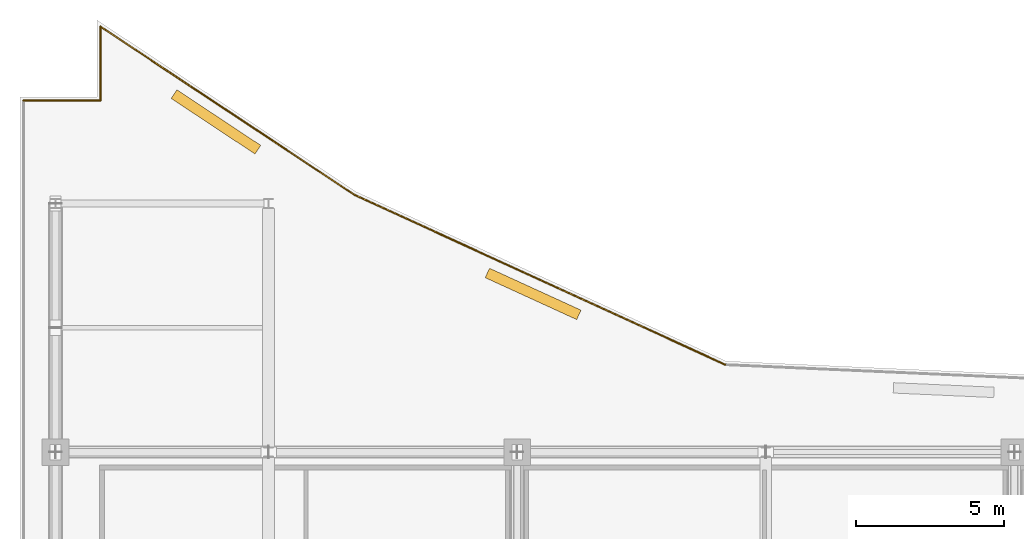
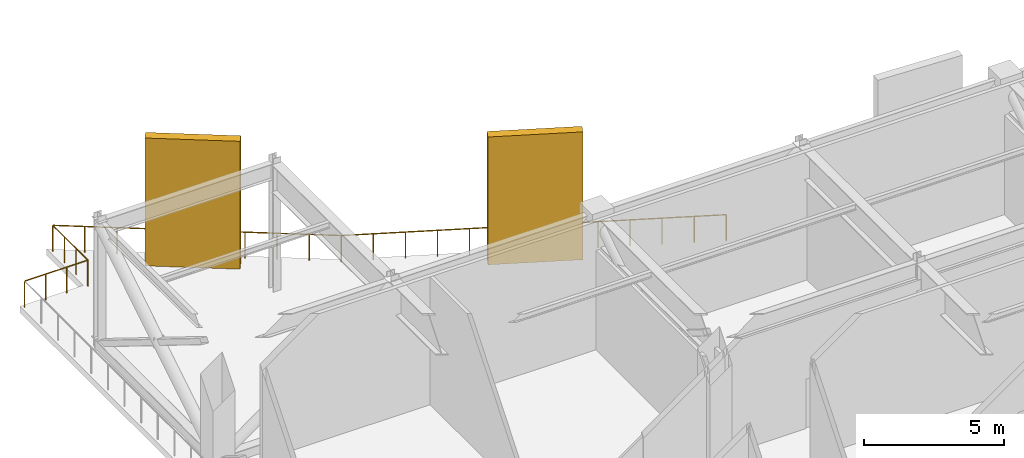
# One storey, part 14 of 14: 4 railings, 2 shading devices.
"""IFC4 building model written with IfcOpenShell, lengths in metres."""

from ifc_helpers import new_model, si_unit, direction, frame, origin, origin_2d, place, context, subcontext, project, spatial, rectangle, circle, extrude, material, layer, layer_set, type_object, element, save


model = new_model("IFC4")

# Units and contexts
model_context = context("Model", 3, precision=1e-05, world=origin(), true_north=direction((0.0, 1.0)))
body_context = subcontext(model_context, "Body", "Model", "MODEL_VIEW")
ifc_project = project(units=[si_unit("LENGTHUNIT", "METRE"), si_unit("AREAUNIT", "SQUARE_METRE"), si_unit("VOLUMEUNIT", "CUBIC_METRE"), si_unit("PLANEANGLEUNIT", "RADIAN"), si_unit("MASSUNIT", "GRAM", prefix="KILO")], contexts=[model_context])

# Site, building, storey
site_placement = place(None, origin())
site = spatial("IfcSite", under=ifc_project, at=site_placement, CompositionType="ELEMENT")
building_placement = place(site_placement, origin())
building = spatial("IfcBuilding", under=site, at=building_placement, Name="Varnakote Quay Hospital", CompositionType="ELEMENT")
storey_placement = place(building_placement, frame((0.0, 0.0, 97.550048828125)))
storey = spatial("IfcBuildingStorey", under=building, at=storey_placement, Name="L24", CompositionType="ELEMENT", Elevation=97.550048828125)

# Railings
ifc_material_1 = material(Name="Anodised aluminium 6063-T6 Bronze", Category="aluminium")
railing_type = type_object("IfcRailingType", Name="RLG-EXT-GUARD-1150", PredefinedType="GUARDRAIL", material=ifc_material_1)
railing_1_placement = place(storey_placement, frame((0.1201171875, 40.679931640625, 0.0)))
element("IfcRailing", 1, at=railing_1_placement, inside=storey, type_object=railing_type, Name="L24 Open Wind-Damping Deck Perimeter Safety Guard", PredefinedType="GUARDRAIL", context=body_context, shape_type="SweptSolid", body=[
    extrude(circle(Radius=0.02392578125, at=origin_2d()), frame((0.0, 0.0, 1.1259765625), z_axis=(1.0, 0.0, 0.0), x_axis=(0.0, 1.0, 0.0)), (0.0, 0.0, 1.0), 2.599853515625),
    extrude(circle(Radius=0.02099609375, at=origin_2d()), origin(), (0.0, 0.0, 1.0), 1.101806640625),
    extrude(circle(Radius=0.02099609375, at=origin_2d()), frame((0.86669921875, 0.0, 0.0)), (0.0, 0.0, 1.0), 1.101806640625),
    extrude(circle(Radius=0.02099609375, at=origin_2d()), frame((1.733154296875, 0.0, 0.0)), (0.0, 0.0, 1.0), 1.101806640625),
    extrude(circle(Radius=0.02099609375, at=origin_2d()), frame((2.599853515625, 0.0, 0.0)), (0.0, 0.0, 1.0), 1.101806640625),
])
railing_2_placement = place(storey_placement, frame((2.719970703125, 40.679931640625, 0.0)))
element("IfcRailing", 2, at=railing_2_placement, inside=storey, type_object=railing_type, Name="L24 Open Wind-Damping Deck Perimeter Safety Guard", PredefinedType="GUARDRAIL", context=body_context, shape_type="SweptSolid", body=[
    extrude(circle(Radius=0.02392578125, at=origin_2d()), frame((0.0, 0.0, 1.1259765625), z_axis=(0.0, 1.0, 0.0), x_axis=(-1.0, 0.0, 0.0)), (0.0, 0.0, 1.0), 2.49658203125),
    extrude(circle(Radius=0.02099609375, at=origin_2d()), origin(), (0.0, 0.0, 1.0), 1.101806640625),
    extrude(circle(Radius=0.02099609375, at=origin_2d()), frame((0.0, 0.832275390625, 0.0)), (0.0, 0.0, 1.0), 1.101806640625),
    extrude(circle(Radius=0.02099609375, at=origin_2d()), frame((0.0, 1.664306640625, 0.0)), (0.0, 0.0, 1.0), 1.101806640625),
    extrude(circle(Radius=0.02099609375, at=origin_2d()), frame((0.0, 2.49658203125, 0.0)), (0.0, 0.0, 1.0), 1.101806640625),
])
railing_3_placement = place(storey_placement, frame((2.719970703125, 43.176513671875, 0.0)))
element("IfcRailing", 3, at=railing_3_placement, inside=storey, type_object=railing_type, Name="L24 Open Wind-Damping Deck Perimeter Safety Guard", PredefinedType="GUARDRAIL", context=body_context, shape_type="SweptSolid", body=[
    extrude(circle(Radius=0.02392578125, at=origin_2d()), frame((0.0, 0.0, 1.1259765625), z_axis=(0.83362678781, -0.552328143992, 0.0), x_axis=(0.552328143992, 0.83362678781, 0.0)), (0.0, 0.0, 1.0), 10.294189453125),
    extrude(circle(Radius=0.02099609375, at=origin_2d()), origin(), (0.0, 0.0, 1.0), 1.101806640625),
    extrude(circle(Radius=0.02099609375, at=origin_2d()), frame((0.95361328125, -0.6318359375, 0.0)), (0.0, 0.0, 1.0), 1.101806640625),
    extrude(circle(Radius=0.02099609375, at=origin_2d()), frame((1.906982421875, -1.263427734375, 0.0)), (0.0, 0.0, 1.0), 1.101806640625),
    extrude(circle(Radius=0.02099609375, at=origin_2d()), frame((2.860595703125, -1.895263671875, 0.0)), (0.0, 0.0, 1.0), 1.101806640625),
    extrude(circle(Radius=0.02099609375, at=origin_2d()), frame((3.81396484375, -2.527099609375, 0.0)), (0.0, 0.0, 1.0), 1.101806640625),
    extrude(circle(Radius=0.02099609375, at=origin_2d()), frame((4.767578125, -3.15869140625, 0.0)), (0.0, 0.0, 1.0), 1.101806640625),
    extrude(circle(Radius=0.02099609375, at=origin_2d()), frame((5.720947265625, -3.79052734375, 0.0)), (0.0, 0.0, 1.0), 1.101806640625),
    extrude(circle(Radius=0.02099609375, at=origin_2d()), frame((6.674560546875, -4.42236328125, 0.0)), (0.0, 0.0, 1.0), 1.101806640625),
    extrude(circle(Radius=0.02099609375, at=origin_2d()), frame((7.6279296875, -5.053955078125, 0.0)), (0.0, 0.0, 1.0), 1.101806640625),
    extrude(circle(Radius=0.02099609375, at=origin_2d()), frame((8.58154296875, -5.685791015625, 0.0)), (0.0, 0.0, 1.0), 1.101806640625),
])
railing_4_placement = place(storey_placement, frame((11.301513671875, 37.49072265625, 0.0)))
element("IfcRailing", 4, at=railing_4_placement, inside=storey, type_object=railing_type, Name="L24 Open Wind-Damping Deck Perimeter Safety Guard", PredefinedType="GUARDRAIL", context=body_context, shape_type="SweptSolid", body=[
    extrude(circle(Radius=0.02392578125, at=origin_2d()), frame((0.0, 0.0, 1.1259765625), z_axis=(0.909214112413, -0.416328833722, 0.0), x_axis=(0.416328833722, 0.909214112413, 0.0)), (0.0, 0.0, 1.0), 13.776611328125),
    extrude(circle(Radius=0.02099609375, at=origin_2d()), origin(), (0.0, 0.0, 1.0), 1.101806640625),
    extrude(circle(Radius=0.02099609375, at=origin_2d()), frame((1.0439453125, -0.47802734375, 0.0)), (0.0, 0.0, 1.0), 1.101806640625),
    extrude(circle(Radius=0.02099609375, at=origin_2d()), frame((2.087646484375, -0.9560546875, 0.0)), (0.0, 0.0, 1.0), 1.101806640625),
    extrude(circle(Radius=0.02099609375, at=origin_2d()), frame((3.13134765625, -1.433837890625, 0.0)), (0.0, 0.0, 1.0), 1.101806640625),
    extrude(circle(Radius=0.02099609375, at=origin_2d()), frame((4.17529296875, -1.911865234375, 0.0)), (0.0, 0.0, 1.0), 1.101806640625),
    extrude(circle(Radius=0.02099609375, at=origin_2d()), frame((5.21923828125, -2.389892578125, 0.0)), (0.0, 0.0, 1.0), 1.101806640625),
    extrude(circle(Radius=0.02099609375, at=origin_2d()), frame((6.262939453125, -2.86767578125, 0.0)), (0.0, 0.0, 1.0), 1.101806640625),
    extrude(circle(Radius=0.02099609375, at=origin_2d()), frame((7.306884765625, -3.345703125, 0.0)), (0.0, 0.0, 1.0), 1.101806640625),
    extrude(circle(Radius=0.02099609375, at=origin_2d()), frame((8.3505859375, -3.82373046875, 0.0)), (0.0, 0.0, 1.0), 1.101806640625),
    extrude(circle(Radius=0.02099609375, at=origin_2d()), frame((9.39453125, -4.3017578125, 0.0)), (0.0, 0.0, 1.0), 1.101806640625),
    extrude(circle(Radius=0.02099609375, at=origin_2d()), frame((10.438232421875, -4.77978515625, 0.0)), (0.0, 0.0, 1.0), 1.101806640625),
    extrude(circle(Radius=0.02099609375, at=origin_2d()), frame((11.48193359375, -5.257568359375, 0.0)), (0.0, 0.0, 1.0), 1.101806640625),
    extrude(circle(Radius=0.02099609375, at=origin_2d()), frame((12.52587890625, -5.735595703125, 0.0)), (0.0, 0.0, 1.0), 1.101806640625),
])

# Shading devices
ifc_material_2 = material(Name="Precast concrete N50 (f'c 50 MPa)", Category="concrete")
ifc_layer = layer(ifc_material_2, 0.35009765625)
ifc_layer_set = layer_set([ifc_layer], Name="Precast concrete N50 (f'c 50 MPa)")
shading_device_type = type_object("IfcShadingDeviceType", Name="SHD-BRICK-OCULUS-350", PredefinedType="USERDEFINED", material=ifc_layer_set)
for number, where, z_axis, x_axis, name in (
    (5, (17.33740234375, 34.14404296875, 0.0), (0.0, 0.0, 1.0), (-0.909236109047, 0.41628079226, 0.0), "L24 Brick Oculus Wind Screen"),
    (6, (6.62109375, 39.9560546875, 0.0), (0.0, 0.0, 1.0), (-0.833596714243, 0.552373531229, 0.0), "L24 Brick Oculus Wind Screen"),
):
    element("IfcShadingDevice", number, at=place(storey_placement, frame(where, z_axis=z_axis, x_axis=x_axis)), inside=storey, type_object=shading_device_type, Name=name, ObjectType="OCULUS", PredefinedType="USERDEFINED", context=body_context, shape_type="SweptSolid", body=[
        extrude(rectangle(XDim=3.39990234375, YDim=0.35009765625, at=origin_2d()), origin(), (0.0, 0.0, 1.0), 5.56005859375),
    ])

save(model, "model.ifc")
